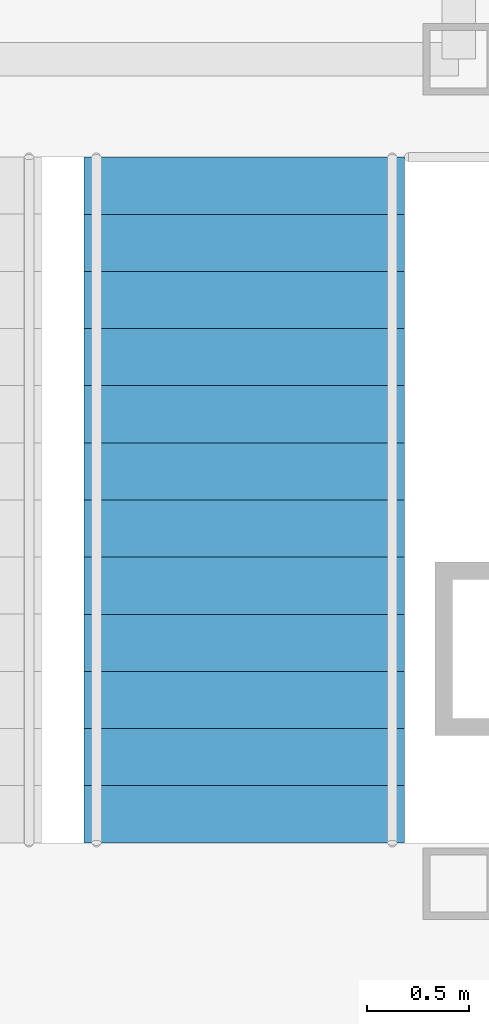
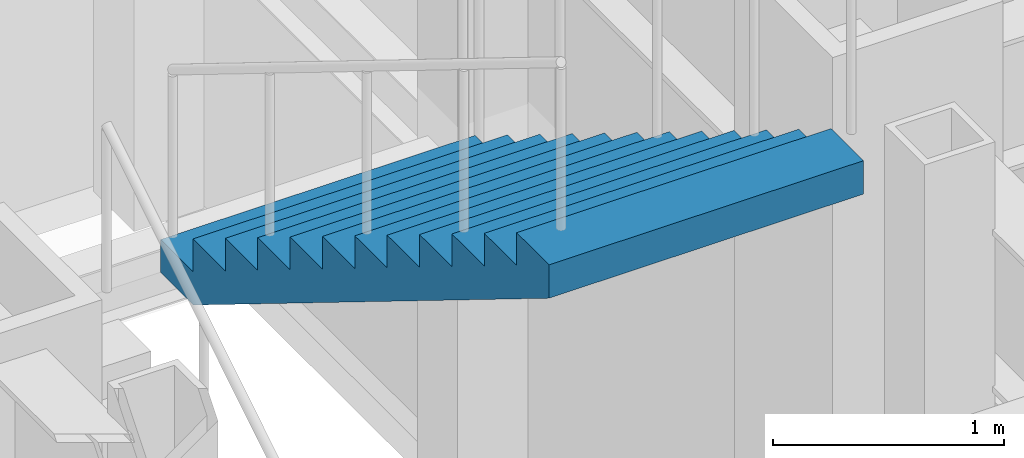
# One storey, part 13 of 17: 1 stair flight, 1 element without a shape of its own.
"""IFC4 building model written with IfcOpenShell, lengths in metres."""

from ifc_helpers import new_model, si_unit, direction, frame, origin, place, context, subcontext, project, spatial, faceted_brep, material, type_object, element, aggregate, save


model = new_model("IFC4")

# Units and contexts
model_context = context("Model", 3, precision=1e-05, world=origin(), true_north=direction((0.0, 1.0)))
body_context = subcontext(model_context, "Body", "Model", "MODEL_VIEW")
ifc_project = project(units=[si_unit("LENGTHUNIT", "METRE"), si_unit("AREAUNIT", "SQUARE_METRE"), si_unit("VOLUMEUNIT", "CUBIC_METRE"), si_unit("PLANEANGLEUNIT", "RADIAN"), si_unit("MASSUNIT", "GRAM", prefix="KILO")], contexts=[model_context])

# Site, building, storey
site_placement = place(None, origin())
site = spatial("IfcSite", under=ifc_project, at=site_placement, CompositionType="ELEMENT")
building_placement = place(site_placement, origin())
building = spatial("IfcBuilding", under=site, at=building_placement, Name="Chuquiago Exchange Tower", CompositionType="ELEMENT")
storey_placement = place(building_placement, frame((0.0, 0.0, 69.300048828125)))
storey = spatial("IfcBuildingStorey", under=building, at=storey_placement, Name="L14", CompositionType="ELEMENT", Elevation=69.300048828125)

# Stair, stair flight
ifc_material_1 = material(Name="Concrete C30/37, precast", Category="concrete")
stair_type = type_object("IfcStairType", Name="ST2 half-turn stair 4500", PredefinedType="HALF_TURN_STAIR", material=ifc_material_1)
stair_placement = place(storey_placement, origin())
stair = element("IfcStair", 1, at=stair_placement, inside=storey, type_object=stair_type, Name="Stair ST2 L14", PredefinedType="HALF_TURN_STAIR")
ifc_material_2 = material(Name="Concrete C30/37, precast", Category="concrete")
stair_flight_type = type_object("IfcStairFlightType", Name="ST-F flight 1570 for 4500 storey", PredefinedType="STRAIGHT", material=ifc_material_2)
stair_flight_placement = place(storey_placement, frame((31.639892578125, 26.409912109375, 2.25), z_axis=(0.0, 0.0, 1.0), x_axis=(0.0, -1.0, 0.0)))
stair_flight = element("IfcStairFlight", 2, at=stair_flight_placement, type_object=stair_flight_type, Name="ST2 flight 2", NumberOfRisers=13, NumberOfTreads=12, PredefinedType="STRAIGHT", RiserHeight=0.173076923, TreadLength=0.28, context=body_context, shape_type="Brep", body=[
    faceted_brep([(0.0, 0.78515625, 0.0), (0.0, 0.78515625, 0.173095703125), (0.280029296875, 0.78515625, 0.173095703125), (0.280029296875, 0.78515625, 0.34619140625), (0.56005859375, 0.78515625, 0.34619140625), (0.56005859375, 0.78515625, 0.519287109375), (0.840087890625, 0.78515625, 0.519287109375), (0.840087890625, 0.78515625, 0.6923828125), (1.1201171875, 0.78515625, 0.6923828125), (1.1201171875, 0.78515625, 0.865478515625), (1.39990234375, 0.78515625, 0.865478515625), (1.39990234375, 0.78515625, 1.03857421875), (1.679931640625, 0.78515625, 1.03857421875), (1.679931640625, 0.78515625, 1.21142578125), (1.9599609375, 0.78515625, 1.21142578125), (1.9599609375, 0.78515625, 1.384521484375), (2.239990234375, 0.78515625, 1.384521484375), (2.239990234375, 0.78515625, 1.5576171875), (2.52001953125, 0.78515625, 1.5576171875), (2.52001953125, 0.78515625, 1.730712890625), (2.800048828125, 0.78515625, 1.730712890625), (2.800048828125, 0.78515625, 1.90380859375), (3.080078125, 0.78515625, 1.90380859375), (3.080078125, 0.78515625, 2.076904296875), (3.360107421875, 0.78515625, 2.076904296875), (3.360107421875, 0.78515625, 1.900634765625), (0.28515625, 0.78515625, 0.0), (0.28515625, -0.78515625, 0.0), (3.360107421875, -0.78515625, 1.900634765625), (3.360107421875, -0.78515625, 2.076904296875), (3.080078125, -0.78515625, 2.076904296875), (3.080078125, -0.78515625, 1.90380859375), (2.800048828125, -0.78515625, 1.90380859375), (2.800048828125, -0.78515625, 1.730712890625), (2.52001953125, -0.78515625, 1.730712890625), (2.52001953125, -0.78515625, 1.5576171875), (2.239990234375, -0.78515625, 1.5576171875), (2.239990234375, -0.78515625, 1.384521484375), (1.9599609375, -0.78515625, 1.384521484375), (1.9599609375, -0.78515625, 1.21142578125), (1.679931640625, -0.78515625, 1.21142578125), (1.679931640625, -0.78515625, 1.03857421875), (1.39990234375, -0.78515625, 1.03857421875), (1.39990234375, -0.78515625, 0.865478515625), (1.1201171875, -0.78515625, 0.865478515625), (1.1201171875, -0.78515625, 0.6923828125), (0.840087890625, -0.78515625, 0.6923828125), (0.840087890625, -0.78515625, 0.519287109375), (0.56005859375, -0.78515625, 0.519287109375), (0.56005859375, -0.78515625, 0.34619140625), (0.280029296875, -0.78515625, 0.34619140625), (0.280029296875, -0.78515625, 0.173095703125), (0.0, -0.78515625, 0.173095703125), (0.0, -0.78515625, 0.0), (0.0, 0.392578125, 0.0), (0.0, 0.392578125, 0.173095703125), (0.0, 0.0, 0.0), (0.0, 0.0, 0.173095703125), (0.0, -0.392578125, 0.0), (0.0, -0.392578125, 0.173095703125), (0.280029296875, 0.392578125, 0.173095703125), (0.280029296875, 0.0, 0.173095703125), (0.280029296875, -0.392578125, 0.173095703125), (0.280029296875, 0.392578125, 0.34619140625), (0.280029296875, 0.0, 0.34619140625), (0.280029296875, -0.392578125, 0.34619140625), (0.56005859375, 0.392578125, 0.34619140625), (0.56005859375, 0.0, 0.34619140625), (0.56005859375, -0.392578125, 0.34619140625), (0.56005859375, 0.392578125, 0.519287109375), (0.56005859375, 0.0, 0.519287109375), (0.56005859375, -0.392578125, 0.519287109375), (0.840087890625, 0.392578125, 0.519287109375), (0.840087890625, 0.0, 0.519287109375), (0.840087890625, -0.392578125, 0.519287109375), (0.840087890625, 0.392578125, 0.6923828125), (0.840087890625, 0.0, 0.6923828125), (0.840087890625, -0.392578125, 0.6923828125), (1.1201171875, 0.392578125, 0.6923828125), (1.1201171875, 0.0, 0.6923828125), (1.1201171875, -0.392578125, 0.6923828125), (1.1201171875, 0.392578125, 0.865478515625), (1.1201171875, 0.0, 0.865478515625), (1.1201171875, -0.392578125, 0.865478515625), (1.39990234375, 0.392578125, 0.865478515625), (1.39990234375, 0.0, 0.865478515625), (1.39990234375, -0.392578125, 0.865478515625), (1.39990234375, 0.392578125, 1.03857421875), (1.39990234375, 0.0, 1.03857421875), (1.39990234375, -0.392578125, 1.03857421875), (1.679931640625, 0.392578125, 1.03857421875), (1.679931640625, 0.0, 1.03857421875), (1.679931640625, -0.392578125, 1.03857421875), (1.679931640625, 0.392578125, 1.21142578125), (1.679931640625, 0.0, 1.21142578125), (1.679931640625, -0.392578125, 1.21142578125), (1.9599609375, 0.392578125, 1.21142578125), (1.9599609375, 0.0, 1.21142578125), (1.9599609375, -0.392578125, 1.21142578125), (1.9599609375, 0.392578125, 1.384521484375), (1.9599609375, 0.0, 1.384521484375), (1.9599609375, -0.392578125, 1.384521484375), (2.239990234375, 0.392578125, 1.384521484375), (2.239990234375, 0.0, 1.384521484375), (2.239990234375, -0.392578125, 1.384521484375), (2.239990234375, 0.392578125, 1.5576171875), (2.239990234375, 0.0, 1.5576171875), (2.239990234375, -0.392578125, 1.5576171875), (2.52001953125, 0.392578125, 1.5576171875), (2.52001953125, 0.0, 1.5576171875), (2.52001953125, -0.392578125, 1.5576171875), (2.52001953125, 0.392578125, 1.730712890625), (2.52001953125, 0.0, 1.730712890625), (2.52001953125, -0.392578125, 1.730712890625), (2.800048828125, 0.392578125, 1.730712890625), (2.800048828125, 0.0, 1.730712890625), (2.800048828125, -0.392578125, 1.730712890625), (2.800048828125, 0.392578125, 1.90380859375), (2.800048828125, 0.0, 1.90380859375), (2.800048828125, -0.392578125, 1.90380859375), (3.080078125, 0.392578125, 1.90380859375), (3.080078125, 0.0, 1.90380859375), (3.080078125, -0.392578125, 1.90380859375), (3.080078125, 0.392578125, 2.076904296875), (3.080078125, 0.0, 2.076904296875), (3.080078125, -0.392578125, 2.076904296875), (3.360107421875, 0.392578125, 2.076904296875), (3.360107421875, 0.0, 2.076904296875), (3.360107421875, -0.392578125, 2.076904296875), (3.360107421875, 0.392578125, 1.900634765625), (3.360107421875, 0.0, 1.900634765625), (3.360107421875, -0.392578125, 1.900634765625), (0.28515625, 0.392578125, 0.0), (0.28515625, 0.0, 0.0), (0.28515625, -0.392578125, 0.0)], [[[0, 1, 2, 3, 4, 5, 6, 7, 8, 9, 10, 11, 12, 13, 14, 15, 16, 17, 18, 19, 20, 21, 22, 23, 24, 25, 26]], [[27, 28, 29, 30, 31, 32, 33, 34, 35, 36, 37, 38, 39, 40, 41, 42, 43, 44, 45, 46, 47, 48, 49, 50, 51, 52, 53]], [[1, 0, 54, 55]], [[55, 54, 56, 57]], [[57, 56, 58, 59]], [[59, 58, 53, 52]], [[2, 1, 55, 60]], [[60, 55, 57, 61]], [[61, 57, 59, 62]], [[62, 59, 52, 51]], [[3, 2, 60, 63]], [[63, 60, 61, 64]], [[64, 61, 62, 65]], [[65, 62, 51, 50]], [[4, 3, 63, 66]], [[66, 63, 64, 67]], [[67, 64, 65, 68]], [[68, 65, 50, 49]], [[5, 4, 66, 69]], [[69, 66, 67, 70]], [[70, 67, 68, 71]], [[71, 68, 49, 48]], [[6, 5, 69, 72]], [[72, 69, 70, 73]], [[73, 70, 71, 74]], [[74, 71, 48, 47]], [[7, 6, 72, 75]], [[75, 72, 73, 76]], [[76, 73, 74, 77]], [[77, 74, 47, 46]], [[8, 7, 75, 78]], [[78, 75, 76, 79]], [[79, 76, 77, 80]], [[80, 77, 46, 45]], [[9, 8, 78, 81]], [[81, 78, 79, 82]], [[82, 79, 80, 83]], [[83, 80, 45, 44]], [[10, 9, 81, 84]], [[84, 81, 82, 85]], [[85, 82, 83, 86]], [[86, 83, 44, 43]], [[11, 10, 84, 87]], [[87, 84, 85, 88]], [[88, 85, 86, 89]], [[89, 86, 43, 42]], [[12, 11, 87, 90]], [[90, 87, 88, 91]], [[91, 88, 89, 92]], [[92, 89, 42, 41]], [[13, 12, 90, 93]], [[93, 90, 91, 94]], [[94, 91, 92, 95]], [[95, 92, 41, 40]], [[14, 13, 93, 96]], [[96, 93, 94, 97]], [[97, 94, 95, 98]], [[98, 95, 40, 39]], [[15, 14, 96, 99]], [[99, 96, 97, 100]], [[100, 97, 98, 101]], [[101, 98, 39, 38]], [[16, 15, 99, 102]], [[102, 99, 100, 103]], [[103, 100, 101, 104]], [[104, 101, 38, 37]], [[17, 16, 102, 105]], [[105, 102, 103, 106]], [[106, 103, 104, 107]], [[107, 104, 37, 36]], [[18, 17, 105, 108]], [[108, 105, 106, 109]], [[109, 106, 107, 110]], [[110, 107, 36, 35]], [[19, 18, 108, 111]], [[111, 108, 109, 112]], [[112, 109, 110, 113]], [[113, 110, 35, 34]], [[20, 19, 111, 114]], [[114, 111, 112, 115]], [[115, 112, 113, 116]], [[116, 113, 34, 33]], [[21, 20, 114, 117]], [[117, 114, 115, 118]], [[118, 115, 116, 119]], [[119, 116, 33, 32]], [[22, 21, 117, 120]], [[120, 117, 118, 121]], [[121, 118, 119, 122]], [[122, 119, 32, 31]], [[23, 22, 120, 123]], [[123, 120, 121, 124]], [[124, 121, 122, 125]], [[125, 122, 31, 30]], [[24, 23, 123, 126]], [[126, 123, 124, 127]], [[127, 124, 125, 128]], [[128, 125, 30, 29]], [[25, 24, 126, 129]], [[129, 126, 127, 130]], [[130, 127, 128, 131]], [[131, 128, 29, 28]], [[26, 25, 129, 132]], [[132, 129, 130, 133]], [[133, 130, 131, 134]], [[134, 131, 28, 27]], [[0, 26, 132, 54]], [[54, 132, 133, 56]], [[56, 133, 134, 58]], [[58, 134, 27, 53]]]),
])
aggregate(stair, [stair_flight])

save(model, "model.ifc")
